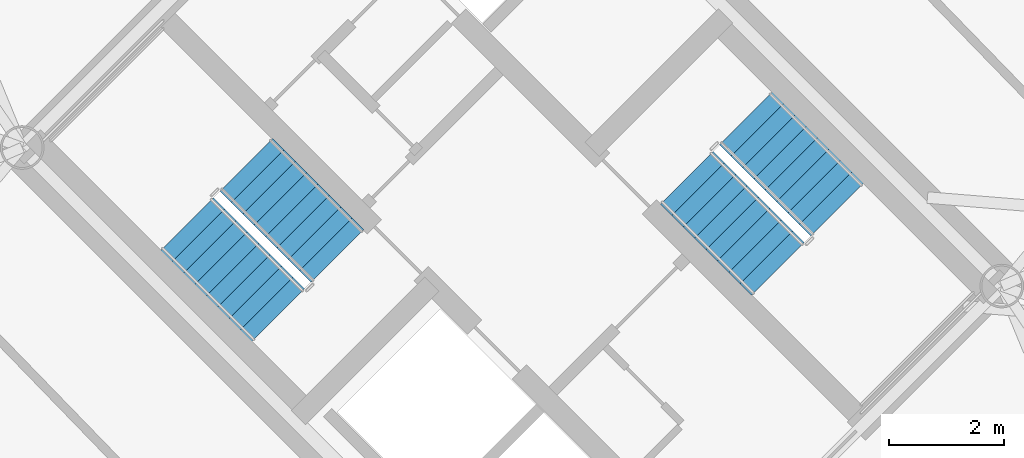
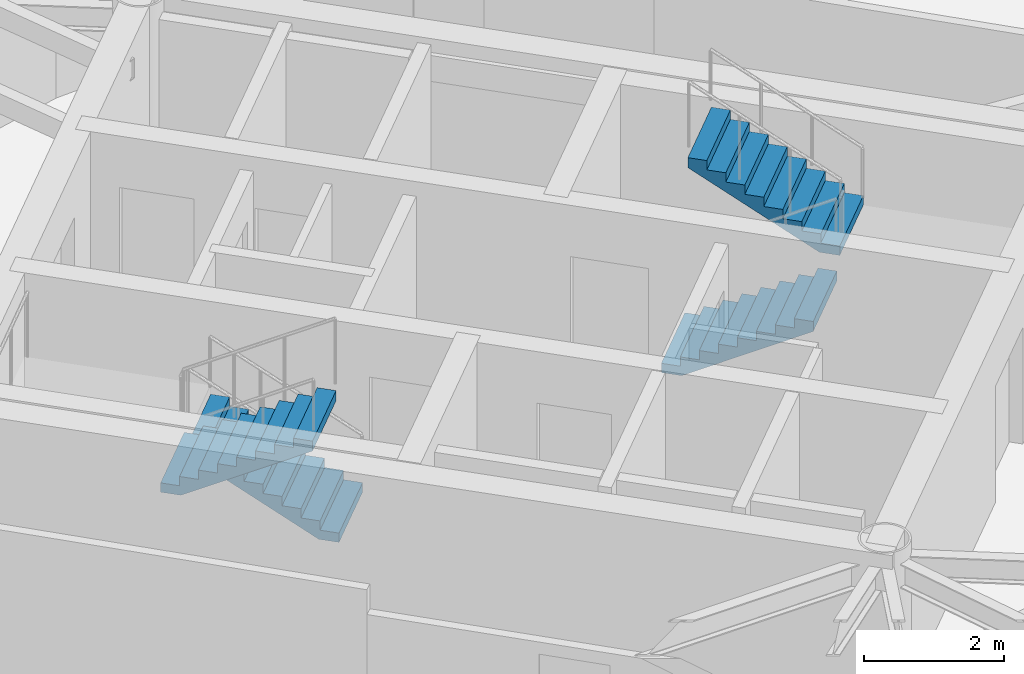
# One storey, part 15 of 18: 4 stair flights, 2 elements without a shape of their own.
"""IFC4 building model written with IfcOpenShell, lengths in metres."""

from ifc_helpers import new_model, si_unit, direction, frame, origin, place, context, subcontext, project, spatial, polyline, outline, extrude, material, type_object, element, aggregate, save


model = new_model("IFC4")

# Units and contexts
model_context = context("Model", 3, precision=1e-05, world=origin(), true_north=direction((0.0, 1.0)))
body_context = subcontext(model_context, "Body", "Model", "MODEL_VIEW")
ifc_project = project(units=[si_unit("LENGTHUNIT", "METRE"), si_unit("AREAUNIT", "SQUARE_METRE"), si_unit("VOLUMEUNIT", "CUBIC_METRE"), si_unit("PLANEANGLEUNIT", "RADIAN"), si_unit("MASSUNIT", "GRAM", prefix="KILO")], contexts=[model_context])

# Site, building, storey
site_placement = place(None, origin())
site = spatial("IfcSite", under=ifc_project, at=site_placement, CompositionType="ELEMENT")
building_placement = place(site_placement, origin())
building = spatial("IfcBuilding", under=site, at=building_placement, Name="Cununo Teusaquillo Station Towers", CompositionType="ELEMENT")
storey_placement = place(building_placement, frame((0.0, 0.0, 75.969970703125)))
storey = spatial("IfcBuildingStorey", under=building, at=storey_placement, Name="L23", CompositionType="ELEMENT", Elevation=75.969970703125)

# Stair, stair flights
ifc_material_1 = material(Name="Concrete C50/60", Category="concrete")
stair_type = type_object("IfcStairType", Name="ST-TWR-1300", PredefinedType="HALF_TURN_STAIR", material=ifc_material_1)
stair_1_placement = place(storey_placement, origin())
stair_1 = element("IfcStair", 1, at=stair_1_placement, inside=storey, type_object=stair_type, Name="L23 Tower B Protected Core Exit Stair 1", PredefinedType="HALF_TURN_STAIR")
ifc_material_2 = material(Name="Concrete C50/60", Category="concrete")
stair_flight_type = type_object("IfcStairFlightType", Name="SFL-TWR-1300", PredefinedType="STRAIGHT", material=ifc_material_2)
stair_flight_1_placement = place(storey_placement, frame((54.45947265625, 23.8212890625, 0.0), z_axis=(0.0, 0.0, 1.0), x_axis=(-0.707106781187, 0.707106781187, 0.0)))
stair_flight_1 = element("IfcStairFlight", 2, at=stair_flight_1_placement, type_object=stair_flight_type, Name="ST-T2-1 flight 1", NumberOfRisers=9, NumberOfTreads=8, PredefinedType="STRAIGHT", RiserHeight=0.161666667, TreadLength=0.28, context=body_context, shape_type="SweptSolid", body=[
    extrude(outline(polyline([(0.0, 0.0), (0.0, 0.16162109375), (0.280029296875, 0.16162109375), (0.280029296875, 0.3232421875), (0.56005859375, 0.3232421875), (0.56005859375, 0.485107421875), (0.840087890625, 0.485107421875), (0.840087890625, 0.646728515625), (1.1201171875, 0.646728515625), (1.1201171875, 0.808349609375), (1.39990234375, 0.808349609375), (1.39990234375, 0.969970703125), (1.679931640625, 0.969970703125), (1.679931640625, 1.131591796875), (1.9599609375, 1.131591796875), (1.9599609375, 1.293212890625), (2.239990234375, 1.293212890625), (2.239990234375, 1.455078125), (2.239990234375, 1.1201171875), (0.2998046875, 0.0), (0.0, 0.0)])), frame((0.0, 0.64990234375, 0.0), z_axis=(0.0, -1.0, 0.0), x_axis=(1.0, 0.0, 0.0)), (0.0, 0.0, 1.0), 1.300048828125),
])
stair_flight_2_placement = place(storey_placement, frame((51.84326171875, 24.372802734375, 1.455078125), z_axis=(0.0, 0.0, 1.0), x_axis=(0.707106781187, -0.707106781187, 0.0)))
stair_flight_2 = element("IfcStairFlight", 3, at=stair_flight_2_placement, type_object=stair_flight_type, Name="ST-T2-1 flight 2", NumberOfRisers=9, NumberOfTreads=8, PredefinedType="STRAIGHT", RiserHeight=0.161666667, TreadLength=0.28, context=body_context, shape_type="SweptSolid", body=[
    extrude(outline(polyline([(0.0, 0.0), (0.0, 0.16162109375), (0.280029296875, 0.16162109375), (0.280029296875, 0.3232421875), (0.56005859375, 0.3232421875), (0.56005859375, 0.485107421875), (0.840087890625, 0.485107421875), (0.840087890625, 0.646728515625), (1.1201171875, 0.646728515625), (1.1201171875, 0.808349609375), (1.39990234375, 0.808349609375), (1.39990234375, 0.969970703125), (1.679931640625, 0.969970703125), (1.679931640625, 1.131591796875), (1.9599609375, 1.131591796875), (1.9599609375, 1.293212890625), (2.239990234375, 1.293212890625), (2.239990234375, 1.455078125), (2.239990234375, 1.1201171875), (0.2998046875, 0.0), (0.0, 0.0)])), frame((0.0, 0.64990234375, 0.0), z_axis=(0.0, -1.0, 0.0), x_axis=(1.0, 0.0, 0.0)), (0.0, 0.0, 1.0), 1.300048828125),
])
aggregate(stair_1, [stair_flight_1, stair_flight_2])

stair_2_placement = place(storey_placement, origin())
stair_2 = element("IfcStair", 4, at=stair_2_placement, inside=storey, type_object=stair_type, Name="L23 Tower B Protected Core Exit Stair 2", PredefinedType="HALF_TURN_STAIR")
stair_flight_3_placement = place(storey_placement, frame((60.54052734375, 25.1787109375, 0.0), z_axis=(0.0, 0.0, 1.0), x_axis=(0.707106781187, -0.707106781187, 0.0)))
stair_flight_3 = element("IfcStairFlight", 5, at=stair_flight_3_placement, type_object=stair_flight_type, Name="ST-T2-2 flight 1", NumberOfRisers=9, NumberOfTreads=8, PredefinedType="STRAIGHT", RiserHeight=0.161666667, TreadLength=0.28, context=body_context, shape_type="SweptSolid", body=[
    extrude(outline(polyline([(0.0, 0.0), (0.0, 0.16162109375), (0.280029296875, 0.16162109375), (0.280029296875, 0.3232421875), (0.56005859375, 0.3232421875), (0.56005859375, 0.485107421875), (0.840087890625, 0.485107421875), (0.840087890625, 0.646728515625), (1.1201171875, 0.646728515625), (1.1201171875, 0.808349609375), (1.39990234375, 0.808349609375), (1.39990234375, 0.969970703125), (1.679931640625, 0.969970703125), (1.679931640625, 1.131591796875), (1.9599609375, 1.131591796875), (1.9599609375, 1.293212890625), (2.239990234375, 1.293212890625), (2.239990234375, 1.455078125), (2.239990234375, 1.1201171875), (0.2998046875, 0.0), (0.0, 0.0)])), frame((0.0, 0.64990234375, 0.0), z_axis=(0.0, -1.0, 0.0), x_axis=(1.0, 0.0, 0.0)), (0.0, 0.0, 1.0), 1.300048828125),
])
stair_flight_4_placement = place(storey_placement, frame((63.15673828125, 24.627197265625, 1.455078125), z_axis=(0.0, 0.0, 1.0), x_axis=(-0.707106781187, 0.707106781187, 0.0)))
stair_flight_4 = element("IfcStairFlight", 6, at=stair_flight_4_placement, type_object=stair_flight_type, Name="ST-T2-2 flight 2", NumberOfRisers=9, NumberOfTreads=8, PredefinedType="STRAIGHT", RiserHeight=0.161666667, TreadLength=0.28, context=body_context, shape_type="SweptSolid", body=[
    extrude(outline(polyline([(0.0, 0.0), (0.0, 0.16162109375), (0.280029296875, 0.16162109375), (0.280029296875, 0.3232421875), (0.56005859375, 0.3232421875), (0.56005859375, 0.485107421875), (0.840087890625, 0.485107421875), (0.840087890625, 0.646728515625), (1.1201171875, 0.646728515625), (1.1201171875, 0.808349609375), (1.39990234375, 0.808349609375), (1.39990234375, 0.969970703125), (1.679931640625, 0.969970703125), (1.679931640625, 1.131591796875), (1.9599609375, 1.131591796875), (1.9599609375, 1.293212890625), (2.239990234375, 1.293212890625), (2.239990234375, 1.455078125), (2.239990234375, 1.1201171875), (0.2998046875, 0.0), (0.0, 0.0)])), frame((0.0, 0.64990234375, 0.0), z_axis=(0.0, -1.0, 0.0), x_axis=(1.0, 0.0, 0.0)), (0.0, 0.0, 1.0), 1.300048828125),
])
aggregate(stair_2, [stair_flight_3, stair_flight_4])

save(model, "model.ifc")
